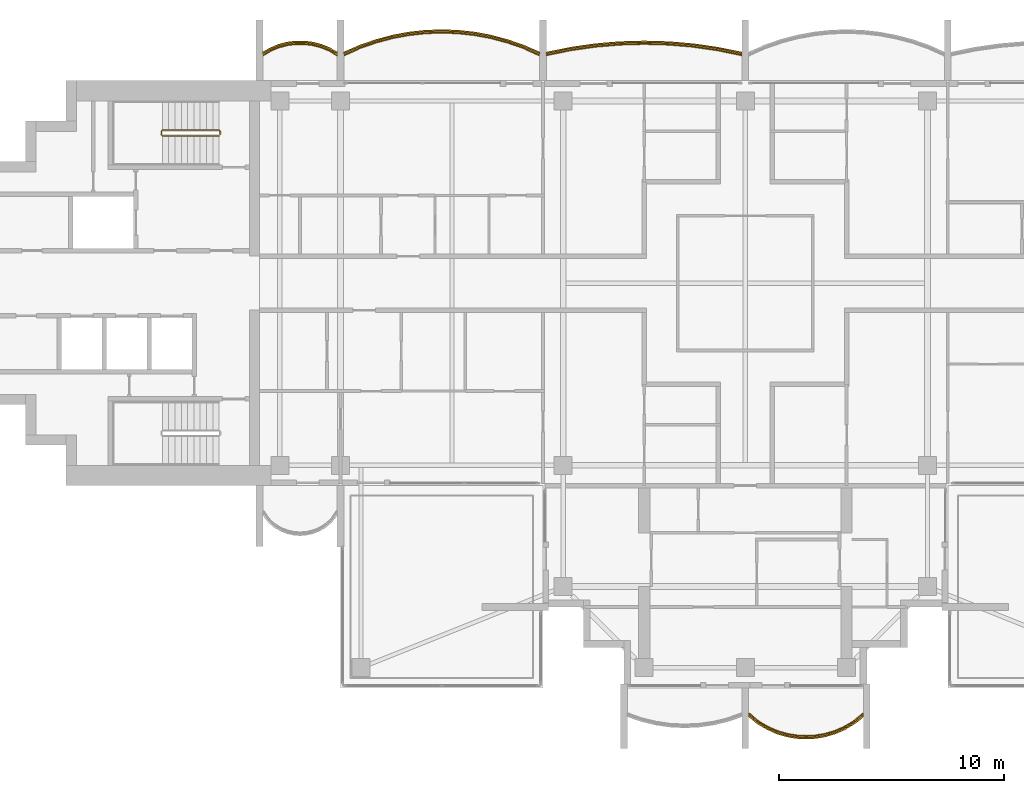
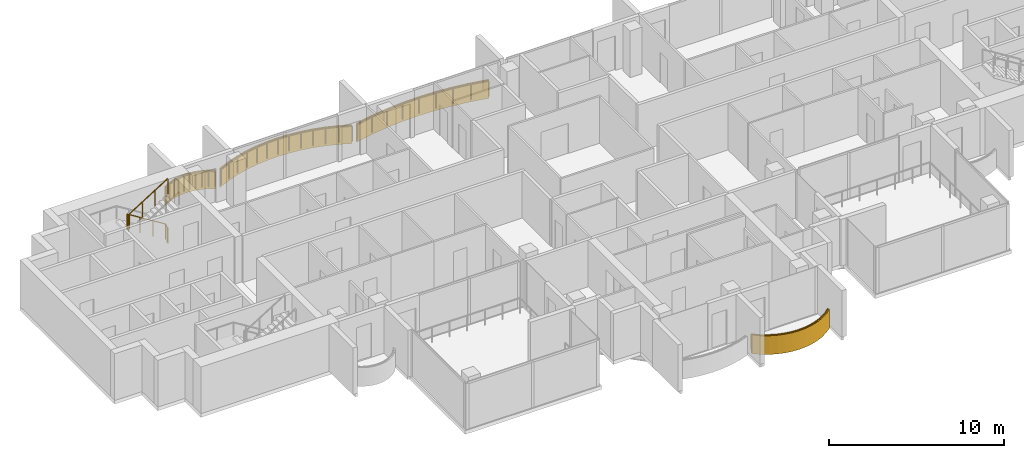
# One storey, part 14 of 16: 5 railings, 4 coverings.
"""IFC4 building model written with IfcOpenShell, lengths in metres."""

from ifc_helpers import new_model, si_unit, direction, frame, origin, origin_2d, place, context, subcontext, project, spatial, polyline, rectangle, outline, extrude, material, layer, layer_set, type_object, element, save


model = new_model("IFC4")

# Units and contexts
model_context = context("Model", 3, precision=1e-05, world=origin(), true_north=direction((0.0, 1.0)))
body_context = subcontext(model_context, "Body", "Model", "MODEL_VIEW")
ifc_project = project(units=[si_unit("LENGTHUNIT", "METRE"), si_unit("AREAUNIT", "SQUARE_METRE"), si_unit("VOLUMEUNIT", "CUBIC_METRE"), si_unit("PLANEANGLEUNIT", "RADIAN"), si_unit("MASSUNIT", "GRAM", prefix="KILO")], contexts=[model_context])

# Site, building, storey
site_placement = place(None, origin())
site = spatial("IfcSite", under=ifc_project, at=site_placement, CompositionType="ELEMENT")
building_placement = place(site_placement, origin())
building = spatial("IfcBuilding", under=site, at=building_placement, Name="Perihelion Cross Residences", CompositionType="ELEMENT")
storey_placement = place(building_placement, frame((0.0, 0.0, 257.0)))
storey = spatial("IfcBuildingStorey", under=building, at=storey_placement, Name="L65", CompositionType="ELEMENT", Elevation=257.0)

# Coverings
ifc_material_1 = material(Name="Bronze anodised aluminium", Category="aluminium")
ifc_layer = layer(ifc_material_1, 0.070068359375)
ifc_layer_set = layer_set([ifc_layer], Name="Balcony fascia 1300")
covering_type = type_object("IfcCoveringType", Name="Balcony fascia 1300", PredefinedType="CLADDING", material=ifc_layer_set)
covering_1_placement = place(storey_placement, frame((0.0, 0.0, -0.199951171875)))
element("IfcCovering", 1, at=covering_1_placement, inside=storey, type_object=covering_type, Name="Fascia BF1 L65 north side east bay 2", PredefinedType="CLADDING", context=body_context, shape_type="SweptSolid", body=[
    extrude(outline(polyline([(-1.2255859375, 10.4892578125), (-2.317138671875, 10.645751953125), (-3.408447265625, 10.739013671875), (-4.5, 10.77001953125), (-5.591552734375, 10.739013671875), (-6.682861328125, 10.645751953125), (-7.7744140625, 10.4892578125), (-8.85009765625, 10.271484375), (-8.85009765625, 10.199951171875), (-7.762451171875, 10.42041015625), (-6.675048828125, 10.576171875), (-5.58740234375, 10.669189453125), (-4.5, 10.699951171875), (-3.41259765625, 10.669189453125), (-2.324951171875, 10.576171875), (-1.237548828125, 10.42041015625), (-0.14990234375, 10.199951171875), (-0.14990234375, 10.271484375), (-1.2255859375, 10.4892578125)])), origin(), (0.0, 0.0, 1.0), 1.300048828125),
])
covering_2_placement = place(storey_placement, frame((0.0, 0.0, -0.199951171875)))
element("IfcCovering", 2, at=covering_2_placement, inside=storey, type_object=covering_type, Name="Fascia BF1 L65 west side north bay 1", PredefinedType="CLADDING", context=body_context, shape_type="SweptSolid", body=[
    extrude(outline(polyline([(-9.849365234375, 10.582275390625), (-10.57958984375, 10.83544921875), (-11.309814453125, 11.028076171875), (-12.039794921875, 11.1630859375), (-12.77001953125, 11.243408203125), (-13.5, 11.27001953125), (-14.22998046875, 11.243408203125), (-14.960205078125, 11.1630859375), (-15.690185546875, 11.028076171875), (-16.42041015625, 10.83544921875), (-17.150634765625, 10.582275390625), (-17.85009765625, 10.2763671875), (-17.85009765625, 10.199951171875), (-17.125, 10.51708984375), (-16.39990234375, 10.7685546875), (-15.675048828125, 10.959716796875), (-14.949951171875, 11.093994140625), (-14.22509765625, 11.173583984375), (-13.5, 11.199951171875), (-12.77490234375, 11.173583984375), (-12.050048828125, 11.093994140625), (-11.324951171875, 10.959716796875), (-10.60009765625, 10.7685546875), (-9.875, 10.51708984375), (-9.14990234375, 10.199951171875), (-9.14990234375, 10.2763671875), (-9.849365234375, 10.582275390625)])), origin(), (0.0, 0.0, 1.0), 1.300048828125),
])
covering_3_placement = place(storey_placement, frame((0.0, 0.0, -0.199951171875)))
element("IfcCovering", 3, at=covering_3_placement, inside=storey, type_object=covering_type, Name="Fascia BF1 L65 west side north bay 2", PredefinedType="CLADDING", context=body_context, shape_type="SweptSolid", body=[
    extrude(outline(polyline([(-18.486328125, 10.4716796875), (-18.861572265625, 10.62158203125), (-19.237060546875, 10.717529296875), (-19.6123046875, 10.76416015625), (-19.987548828125, 10.76416015625), (-20.363037109375, 10.717529296875), (-20.73828125, 10.62158203125), (-21.11376953125, 10.4716796875), (-21.449951171875, 10.280517578125), (-21.449951171875, 10.199951171875), (-21.083251953125, 10.40869140625), (-20.716552734375, 10.55517578125), (-20.35009765625, 10.648681640625), (-19.9833984375, 10.6943359375), (-19.61669921875, 10.6943359375), (-19.25, 10.648681640625), (-18.88330078125, 10.55517578125), (-18.5166015625, 10.40869140625), (-18.14990234375, 10.199951171875), (-18.14990234375, 10.280517578125), (-18.486328125, 10.4716796875)])), origin(), (0.0, 0.0, 1.0), 1.300048828125),
])
covering_4_placement = place(storey_placement, frame((0.0, 0.0, -0.199951171875)))
element("IfcCovering", 4, at=covering_4_placement, inside=storey, type_object=covering_type, Name="Fascia BF1 L65 south tip south bay 2", PredefinedType="CLADDING", context=body_context, shape_type="SweptSolid", body=[
    extrude(outline(polyline([(0.53515625, -19.59765625), (0.96826171875, -19.85498046875), (1.401123046875, -20.04248046875), (1.833984375, -20.170654296875), (2.26708984375, -20.245361328125), (2.699951171875, -20.27001953125), (3.133056640625, -20.245361328125), (3.56591796875, -20.170654296875), (3.998779296875, -20.04248046875), (4.431884765625, -19.85498046875), (4.86474609375, -19.59765625), (5.25, -19.28955078125), (5.25, -19.199951171875), (4.824951171875, -19.5400390625), (4.39990234375, -19.792724609375), (3.97509765625, -19.9765625), (3.550048828125, -20.1025390625), (3.125, -20.17578125), (2.699951171875, -20.199951171875), (2.27490234375, -20.17578125), (1.85009765625, -20.1025390625), (1.425048828125, -19.9765625), (1.0, -19.792724609375), (0.574951171875, -19.5400390625), (0.14990234375, -19.199951171875), (0.14990234375, -19.28955078125), (0.53515625, -19.59765625)])), origin(), (0.0, 0.0, 1.0), 1.300048828125),
])

# Railings
ifc_material_2 = material(Name="Bronze anodised aluminium", Category="aluminium")
railing_type_1 = type_object("IfcRailingType", Name="Balcony guard 1100", PredefinedType="GUARDRAIL", material=ifc_material_2)
railing_1_placement = place(storey_placement, frame((-0.175048828125, 10.139892578125, 0.0)))
element("IfcRailing", 5, at=railing_1_placement, inside=storey, type_object=railing_type_1, Name="Guard GU1 L65 north side east bay 2 balcony", PredefinedType="GUARDRAIL", context=body_context, shape_type="SweptSolid", body=[
    extrude(rectangle(XDim=0.048095703125, YDim=0.048095703125, at=origin_2d()), frame((0.0, 0.0, 1.076171875), z_axis=(-0.979144816647, 0.203163549961, 0.0), x_axis=(-0.203163549961, -0.979144816647, 0.0)), (0.0, 0.0, 1.0), 1.085205078125),
    extrude(rectangle(XDim=0.048095703125, YDim=0.048095703125, at=origin_2d()), frame((-1.0625, 0.220458984375, 1.076171875), z_axis=(-0.98989608354, 0.141794724135, 0.0), x_axis=(-0.141794724135, -0.98989608354, 0.0)), (0.0, 0.0, 1.0), 1.098388671875),
    extrude(rectangle(XDim=0.048095703125, YDim=0.048095703125, at=origin_2d()), frame((-2.14990234375, 0.376220703125, 1.076171875), z_axis=(-0.996362942492, 0.085210837506, 0.0), x_axis=(-0.085210837506, -0.996362942492, 0.0)), (0.0, 0.0, 1.0), 1.091552734375),
    extrude(rectangle(XDim=0.048095703125, YDim=0.048095703125, at=origin_2d()), frame((-3.237548828125, 0.46923828125, 1.076171875), z_axis=(-0.999600101203, 0.028277865458, 0.0), x_axis=(-0.028277865458, -0.999600101203, 0.0)), (0.0, 0.0, 1.0), 1.087890625),
    extrude(rectangle(XDim=0.048095703125, YDim=0.048095703125, at=origin_2d()), frame((-4.324951171875, 0.5, 1.076171875), z_axis=(-0.999600101203, -0.028277865458, 0.0), x_axis=(0.028277865458, -0.999600101203, 0.0)), (0.0, 0.0, 1.0), 1.087890625),
    extrude(rectangle(XDim=0.048095703125, YDim=0.048095703125, at=origin_2d()), frame((-5.412353515625, 0.46923828125, 1.076171875), z_axis=(-0.996362942492, -0.085210837506, 0.0), x_axis=(0.085210837506, -0.996362942492, 0.0)), (0.0, 0.0, 1.0), 1.091552734375),
    extrude(rectangle(XDim=0.048095703125, YDim=0.048095703125, at=origin_2d()), frame((-6.5, 0.376220703125, 1.076171875), z_axis=(-0.98989608354, -0.141794724135, 0.0), x_axis=(0.141794724135, -0.98989608354, 0.0)), (0.0, 0.0, 1.0), 1.098388671875),
    extrude(rectangle(XDim=0.048095703125, YDim=0.048095703125, at=origin_2d()), frame((-7.58740234375, 0.220458984375, 1.076171875), z_axis=(-0.979144816647, -0.203163549961, 0.0), x_axis=(0.203163549961, -0.979144816647, 0.0)), (0.0, 0.0, 1.0), 1.085205078125),
    extrude(rectangle(XDim=0.0419921875, YDim=0.0419921875, at=origin_2d()), origin(), (0.0, 0.0, 1.0), 1.052001953125),
    extrude(rectangle(XDim=0.0419921875, YDim=0.0419921875, at=origin_2d()), frame((-1.0625, 0.220458984375, 0.0)), (0.0, 0.0, 1.0), 1.052001953125),
    extrude(rectangle(XDim=0.0419921875, YDim=0.0419921875, at=origin_2d()), frame((-2.14990234375, 0.376220703125, 0.0)), (0.0, 0.0, 1.0), 1.052001953125),
    extrude(rectangle(XDim=0.0419921875, YDim=0.0419921875, at=origin_2d()), frame((-3.237548828125, 0.46923828125, 0.0)), (0.0, 0.0, 1.0), 1.052001953125),
    extrude(rectangle(XDim=0.0419921875, YDim=0.0419921875, at=origin_2d()), frame((-4.324951171875, 0.5, 0.0)), (0.0, 0.0, 1.0), 1.052001953125),
    extrude(rectangle(XDim=0.0419921875, YDim=0.0419921875, at=origin_2d()), frame((-5.412353515625, 0.46923828125, 0.0)), (0.0, 0.0, 1.0), 1.052001953125),
    extrude(rectangle(XDim=0.0419921875, YDim=0.0419921875, at=origin_2d()), frame((-6.5, 0.376220703125, 0.0)), (0.0, 0.0, 1.0), 1.052001953125),
    extrude(rectangle(XDim=0.0419921875, YDim=0.0419921875, at=origin_2d()), frame((-7.58740234375, 0.220458984375, 0.0)), (0.0, 0.0, 1.0), 1.052001953125),
    extrude(rectangle(XDim=0.0419921875, YDim=0.0419921875, at=origin_2d()), frame((-8.64990234375, 0.0, 0.0)), (0.0, 0.0, 1.0), 1.052001953125),
])
railing_2_placement = place(storey_placement, frame((-9.175048828125, 10.139892578125, 0.0)))
element("IfcRailing", 6, at=railing_2_placement, inside=storey, type_object=railing_type_1, Name="Guard GU1 L65 west side north bay 1 balcony", PredefinedType="GUARDRAIL", context=body_context, shape_type="SweptSolid", body=[
    extrude(rectangle(XDim=0.048095703125, YDim=0.048095703125, at=origin_2d()), frame((0.0, 0.0, 1.076171875), z_axis=(-0.910866309087, 0.412701547089, 0.0), x_axis=(-0.412701547089, -0.910866309087, 0.0)), (0.0, 0.0, 1.0), 0.7685546875),
    extrude(rectangle(XDim=0.048095703125, YDim=0.048095703125, at=origin_2d()), frame((-0.699951171875, 0.317138671875, 1.076171875), z_axis=(-0.944796812452, 0.327656807012, 0.0), x_axis=(-0.327656807012, -0.944796812452, 0.0)), (0.0, 0.0, 1.0), 0.767578125),
    extrude(rectangle(XDim=0.048095703125, YDim=0.048095703125, at=origin_2d()), frame((-1.425048828125, 0.568603515625, 1.076171875), z_axis=(-0.966939404945, 0.255006249266, 0.0), x_axis=(-0.255006249266, -0.966939404945, 0.0)), (0.0, 0.0, 1.0), 0.749755859375),
    extrude(rectangle(XDim=0.048095703125, YDim=0.048095703125, at=origin_2d()), frame((-2.14990234375, 0.759765625, 1.076171875), z_axis=(-0.983282004984, 0.182089260182, 0.0), x_axis=(-0.182089260182, -0.983282004984, 0.0)), (0.0, 0.0, 1.0), 0.7373046875),
    extrude(rectangle(XDim=0.048095703125, YDim=0.048095703125, at=origin_2d()), frame((-2.875, 0.89404296875, 1.076171875), z_axis=(-0.994025805622, 0.109145305703, 0.0), x_axis=(-0.109145305703, -0.994025805622, 0.0)), (0.0, 0.0, 1.0), 0.729248046875),
    extrude(rectangle(XDim=0.048095703125, YDim=0.048095703125, at=origin_2d()), frame((-3.599853515625, 0.9736328125, 1.076171875), z_axis=(-0.999339497946, 0.036339618107, 0.0), x_axis=(-0.036339618107, -0.999339497946, 0.0)), (0.0, 0.0, 1.0), 0.7255859375),
    extrude(rectangle(XDim=0.048095703125, YDim=0.048095703125, at=origin_2d()), frame((-4.324951171875, 1.0, 1.076171875), z_axis=(-0.999339497946, -0.036339618107, 0.0), x_axis=(0.036339618107, -0.999339497946, 0.0)), (0.0, 0.0, 1.0), 0.7255859375),
    extrude(rectangle(XDim=0.048095703125, YDim=0.048095703125, at=origin_2d()), frame((-5.050048828125, 0.9736328125, 1.076171875), z_axis=(-0.994025805622, -0.109145305703, 0.0), x_axis=(0.109145305703, -0.994025805622, 0.0)), (0.0, 0.0, 1.0), 0.729248046875),
    extrude(rectangle(XDim=0.048095703125, YDim=0.048095703125, at=origin_2d()), frame((-5.77490234375, 0.89404296875, 1.076171875), z_axis=(-0.983282004984, -0.182089260182, 0.0), x_axis=(0.182089260182, -0.983282004984, 0.0)), (0.0, 0.0, 1.0), 0.7373046875),
    extrude(rectangle(XDim=0.048095703125, YDim=0.048095703125, at=origin_2d()), frame((-6.5, 0.759765625, 1.076171875), z_axis=(-0.966939404945, -0.255006249266, 0.0), x_axis=(0.255006249266, -0.966939404945, 0.0)), (0.0, 0.0, 1.0), 0.749755859375),
    extrude(rectangle(XDim=0.048095703125, YDim=0.048095703125, at=origin_2d()), frame((-7.224853515625, 0.568603515625, 1.076171875), z_axis=(-0.944796812452, -0.327656807012, 0.0), x_axis=(0.327656807012, -0.944796812452, 0.0)), (0.0, 0.0, 1.0), 0.767578125),
    extrude(rectangle(XDim=0.048095703125, YDim=0.048095703125, at=origin_2d()), frame((-7.949951171875, 0.317138671875, 1.076171875), z_axis=(-0.910866309087, -0.412701547089, 0.0), x_axis=(0.412701547089, -0.910866309087, 0.0)), (0.0, 0.0, 1.0), 0.7685546875),
    extrude(rectangle(XDim=0.0419921875, YDim=0.0419921875, at=origin_2d()), origin(), (0.0, 0.0, 1.0), 1.052001953125),
    extrude(rectangle(XDim=0.0419921875, YDim=0.0419921875, at=origin_2d()), frame((-0.699951171875, 0.317138671875, 0.0)), (0.0, 0.0, 1.0), 1.052001953125),
    extrude(rectangle(XDim=0.0419921875, YDim=0.0419921875, at=origin_2d()), frame((-1.425048828125, 0.568603515625, 0.0)), (0.0, 0.0, 1.0), 1.052001953125),
    extrude(rectangle(XDim=0.0419921875, YDim=0.0419921875, at=origin_2d()), frame((-2.14990234375, 0.759765625, 0.0)), (0.0, 0.0, 1.0), 1.052001953125),
    extrude(rectangle(XDim=0.0419921875, YDim=0.0419921875, at=origin_2d()), frame((-2.875, 0.89404296875, 0.0)), (0.0, 0.0, 1.0), 1.052001953125),
    extrude(rectangle(XDim=0.0419921875, YDim=0.0419921875, at=origin_2d()), frame((-3.599853515625, 0.9736328125, 0.0)), (0.0, 0.0, 1.0), 1.052001953125),
    extrude(rectangle(XDim=0.0419921875, YDim=0.0419921875, at=origin_2d()), frame((-4.324951171875, 1.0, 0.0)), (0.0, 0.0, 1.0), 1.052001953125),
    extrude(rectangle(XDim=0.0419921875, YDim=0.0419921875, at=origin_2d()), frame((-5.050048828125, 0.9736328125, 0.0)), (0.0, 0.0, 1.0), 1.052001953125),
    extrude(rectangle(XDim=0.0419921875, YDim=0.0419921875, at=origin_2d()), frame((-5.77490234375, 0.89404296875, 0.0)), (0.0, 0.0, 1.0), 1.052001953125),
    extrude(rectangle(XDim=0.0419921875, YDim=0.0419921875, at=origin_2d()), frame((-6.5, 0.759765625, 0.0)), (0.0, 0.0, 1.0), 1.052001953125),
    extrude(rectangle(XDim=0.0419921875, YDim=0.0419921875, at=origin_2d()), frame((-7.224853515625, 0.568603515625, 0.0)), (0.0, 0.0, 1.0), 1.052001953125),
    extrude(rectangle(XDim=0.0419921875, YDim=0.0419921875, at=origin_2d()), frame((-7.949951171875, 0.317138671875, 0.0)), (0.0, 0.0, 1.0), 1.052001953125),
    extrude(rectangle(XDim=0.0419921875, YDim=0.0419921875, at=origin_2d()), frame((-8.64990234375, 0.0, 0.0)), (0.0, 0.0, 1.0), 1.052001953125),
])
railing_3_placement = place(storey_placement, frame((-18.175048828125, 10.139892578125, 0.0)))
element("IfcRailing", 7, at=railing_3_placement, inside=storey, type_object=railing_type_1, Name="Guard GU1 L65 west side north bay 2 balcony", PredefinedType="GUARDRAIL", context=body_context, shape_type="SweptSolid", body=[
    extrude(rectangle(XDim=0.048095703125, YDim=0.048095703125, at=origin_2d()), frame((0.0, 0.0, 1.076171875), z_axis=(-0.853266756821, 0.52147467983, 0.0), x_axis=(-0.52147467983, -0.853266756821, 0.0)), (0.0, 0.0, 1.0), 0.400390625),
    extrude(rectangle(XDim=0.048095703125, YDim=0.048095703125, at=origin_2d()), frame((-0.341552734375, 0.208740234375, 1.076171875), z_axis=(-0.928647151248, 0.37096424151, 0.0), x_axis=(-0.37096424151, -0.928647151248, 0.0)), (0.0, 0.0, 1.0), 0.394775390625),
    extrude(rectangle(XDim=0.048095703125, YDim=0.048095703125, at=origin_2d()), frame((-0.708251953125, 0.355224609375, 1.076171875), z_axis=(-0.968993337782, 0.247086849781, 0.0), x_axis=(-0.247086849781, -0.968993337782, 0.0)), (0.0, 0.0, 1.0), 0.37841796875),
    extrude(rectangle(XDim=0.048095703125, YDim=0.048095703125, at=origin_2d()), frame((-1.074951171875, 0.44873046875, 1.076171875), z_axis=(-0.992338742457, 0.123546834114, 0.0), x_axis=(-0.123546834114, -0.992338742457, 0.0)), (0.0, 0.0, 1.0), 0.36962890625),
    extrude(rectangle(XDim=0.048095703125, YDim=0.048095703125, at=origin_2d()), frame((-1.441650390625, 0.494384765625, 1.076171875), z_axis=(-1.0, 0.0, 0.0), x_axis=(0.0, -1.0, 0.0)), (0.0, 0.0, 1.0), 0.36669921875),
    extrude(rectangle(XDim=0.048095703125, YDim=0.048095703125, at=origin_2d()), frame((-1.808349609375, 0.494384765625, 1.076171875), z_axis=(-0.992338742457, -0.123546834114, 0.0), x_axis=(0.123546834114, -0.992338742457, 0.0)), (0.0, 0.0, 1.0), 0.36962890625),
    extrude(rectangle(XDim=0.048095703125, YDim=0.048095703125, at=origin_2d()), frame((-2.175048828125, 0.44873046875, 1.076171875), z_axis=(-0.968953914071, -0.247241405123, 0.0), x_axis=(0.247241405123, -0.968953914071, 0.0)), (0.0, 0.0, 1.0), 0.378173828125),
    extrude(rectangle(XDim=0.048095703125, YDim=0.048095703125, at=origin_2d()), frame((-2.54150390625, 0.355224609375, 1.076171875), z_axis=(-0.928647151248, -0.37096424151, 0.0), x_axis=(0.37096424151, -0.928647151248, 0.0)), (0.0, 0.0, 1.0), 0.394775390625),
    extrude(rectangle(XDim=0.048095703125, YDim=0.048095703125, at=origin_2d()), frame((-2.908203125, 0.208740234375, 1.076171875), z_axis=(-0.853432484338, -0.521203410078, 0.0), x_axis=(0.521203410078, -0.853432484338, 0.0)), (0.0, 0.0, 1.0), 0.400390625),
    extrude(rectangle(XDim=0.0419921875, YDim=0.0419921875, at=origin_2d()), origin(), (0.0, 0.0, 1.0), 1.052001953125),
    extrude(rectangle(XDim=0.0419921875, YDim=0.0419921875, at=origin_2d()), frame((-0.341552734375, 0.208740234375, 0.0)), (0.0, 0.0, 1.0), 1.052001953125),
    extrude(rectangle(XDim=0.0419921875, YDim=0.0419921875, at=origin_2d()), frame((-0.708251953125, 0.355224609375, 0.0)), (0.0, 0.0, 1.0), 1.052001953125),
    extrude(rectangle(XDim=0.0419921875, YDim=0.0419921875, at=origin_2d()), frame((-1.074951171875, 0.44873046875, 0.0)), (0.0, 0.0, 1.0), 1.052001953125),
    extrude(rectangle(XDim=0.0419921875, YDim=0.0419921875, at=origin_2d()), frame((-1.441650390625, 0.494384765625, 0.0)), (0.0, 0.0, 1.0), 1.052001953125),
    extrude(rectangle(XDim=0.0419921875, YDim=0.0419921875, at=origin_2d()), frame((-1.808349609375, 0.494384765625, 0.0)), (0.0, 0.0, 1.0), 1.052001953125),
    extrude(rectangle(XDim=0.0419921875, YDim=0.0419921875, at=origin_2d()), frame((-2.175048828125, 0.44873046875, 0.0)), (0.0, 0.0, 1.0), 1.052001953125),
    extrude(rectangle(XDim=0.0419921875, YDim=0.0419921875, at=origin_2d()), frame((-2.54150390625, 0.355224609375, 0.0)), (0.0, 0.0, 1.0), 1.052001953125),
    extrude(rectangle(XDim=0.0419921875, YDim=0.0419921875, at=origin_2d()), frame((-2.908203125, 0.208740234375, 0.0)), (0.0, 0.0, 1.0), 1.052001953125),
    extrude(rectangle(XDim=0.0419921875, YDim=0.0419921875, at=origin_2d()), frame((-3.25, 0.0, 0.0)), (0.0, 0.0, 1.0), 1.052001953125),
])
railing_4_placement = place(storey_placement, frame((0.175048828125, -19.139892578125, 0.0)))
element("IfcRailing", 8, at=railing_4_placement, inside=storey, type_object=railing_type_1, Name="Guard GU1 L65 south tip south bay 2 balcony", PredefinedType="GUARDRAIL", context=body_context, shape_type="SweptSolid", body=[
    extrude(rectangle(XDim=0.048095703125, YDim=0.048095703125, at=origin_2d()), frame((0.0, 0.0, 1.076171875), z_axis=(0.761778647315, -0.647837396648, 0.0), x_axis=(0.647837396648, 0.761778647315, 0.0)), (0.0, 0.0, 1.0), 0.52490234375),
    extrude(rectangle(XDim=0.048095703125, YDim=0.048095703125, at=origin_2d()), frame((0.39990234375, -0.340087890625, 1.076171875), z_axis=(0.859576918062, -0.511006381501, 0.0), x_axis=(0.511006381501, 0.859576918062, 0.0)), (0.0, 0.0, 1.0), 0.494384765625),
    extrude(rectangle(XDim=0.048095703125, YDim=0.048095703125, at=origin_2d()), frame((0.824951171875, -0.5927734375, 1.076171875), z_axis=(0.917638931453, -0.397415137459, 0.0), x_axis=(0.397415137459, 0.917638931453, 0.0)), (0.0, 0.0, 1.0), 0.463134765625),
    extrude(rectangle(XDim=0.048095703125, YDim=0.048095703125, at=origin_2d()), frame((1.25, -0.77685546875, 1.076171875), z_axis=(0.958925815697, -0.283656975924, 0.0), x_axis=(0.283656975924, 0.958925815697, 0.0)), (0.0, 0.0, 1.0), 0.443359375),
    extrude(rectangle(XDim=0.048095703125, YDim=0.048095703125, at=origin_2d()), frame((1.675048828125, -0.902587890625, 1.076171875), z_axis=(0.985365142702, -0.170456843651, 0.0), x_axis=(0.170456843651, 0.985365142702, 0.0)), (0.0, 0.0, 1.0), 0.43115234375),
    extrude(rectangle(XDim=0.048095703125, YDim=0.048095703125, at=origin_2d()), frame((2.099853515625, -0.97607421875, 1.076171875), z_axis=(0.9984195016, -0.056200523353, 0.0), x_axis=(0.056200523353, 0.9984195016, 0.0)), (0.0, 0.0, 1.0), 0.42578125),
    extrude(rectangle(XDim=0.048095703125, YDim=0.048095703125, at=origin_2d()), frame((2.52490234375, -1.0, 1.076171875), z_axis=(0.9984195016, 0.056200523353, 0.0), x_axis=(-0.056200523353, 0.9984195016, 0.0)), (0.0, 0.0, 1.0), 0.42578125),
    extrude(rectangle(XDim=0.048095703125, YDim=0.048095703125, at=origin_2d()), frame((2.949951171875, -0.97607421875, 1.076171875), z_axis=(0.985381583142, 0.17036177859, 0.0), x_axis=(-0.17036177859, 0.985381583142, 0.0)), (0.0, 0.0, 1.0), 0.431396484375),
    extrude(rectangle(XDim=0.048095703125, YDim=0.048095703125, at=origin_2d()), frame((3.375, -0.902587890625, 1.076171875), z_axis=(0.958925815697, 0.283656975924, 0.0), x_axis=(-0.283656975924, 0.958925815697, 0.0)), (0.0, 0.0, 1.0), 0.443359375),
    extrude(rectangle(XDim=0.048095703125, YDim=0.048095703125, at=origin_2d()), frame((3.800048828125, -0.77685546875, 1.076171875), z_axis=(0.91755562531, 0.397607437634, 0.0), x_axis=(-0.397607437634, 0.91755562531, 0.0)), (0.0, 0.0, 1.0), 0.462890625),
    extrude(rectangle(XDim=0.048095703125, YDim=0.048095703125, at=origin_2d()), frame((4.224853515625, -0.5927734375, 1.076171875), z_axis=(0.859576918062, 0.511006381501, 0.0), x_axis=(-0.511006381501, 0.859576918062, 0.0)), (0.0, 0.0, 1.0), 0.494384765625),
    extrude(rectangle(XDim=0.048095703125, YDim=0.048095703125, at=origin_2d()), frame((4.64990234375, -0.340087890625, 1.076171875), z_axis=(0.761973728849, 0.647607934281, 0.0), x_axis=(-0.647607934281, 0.761973728849, 0.0)), (0.0, 0.0, 1.0), 0.525146484375),
    extrude(rectangle(XDim=0.0419921875, YDim=0.0419921875, at=origin_2d()), origin(), (0.0, 0.0, 1.0), 1.052001953125),
    extrude(rectangle(XDim=0.0419921875, YDim=0.0419921875, at=origin_2d()), frame((0.39990234375, -0.340087890625, 0.0)), (0.0, 0.0, 1.0), 1.052001953125),
    extrude(rectangle(XDim=0.0419921875, YDim=0.0419921875, at=origin_2d()), frame((0.824951171875, -0.5927734375, 0.0)), (0.0, 0.0, 1.0), 1.052001953125),
    extrude(rectangle(XDim=0.0419921875, YDim=0.0419921875, at=origin_2d()), frame((1.25, -0.77685546875, 0.0)), (0.0, 0.0, 1.0), 1.052001953125),
    extrude(rectangle(XDim=0.0419921875, YDim=0.0419921875, at=origin_2d()), frame((1.675048828125, -0.902587890625, 0.0)), (0.0, 0.0, 1.0), 1.052001953125),
    extrude(rectangle(XDim=0.0419921875, YDim=0.0419921875, at=origin_2d()), frame((2.099853515625, -0.97607421875, 0.0)), (0.0, 0.0, 1.0), 1.052001953125),
    extrude(rectangle(XDim=0.0419921875, YDim=0.0419921875, at=origin_2d()), frame((2.52490234375, -1.0, 0.0)), (0.0, 0.0, 1.0), 1.052001953125),
    extrude(rectangle(XDim=0.0419921875, YDim=0.0419921875, at=origin_2d()), frame((2.949951171875, -0.97607421875, 0.0)), (0.0, 0.0, 1.0), 1.052001953125),
    extrude(rectangle(XDim=0.0419921875, YDim=0.0419921875, at=origin_2d()), frame((3.375, -0.902587890625, 0.0)), (0.0, 0.0, 1.0), 1.052001953125),
    extrude(rectangle(XDim=0.0419921875, YDim=0.0419921875, at=origin_2d()), frame((3.800048828125, -0.77685546875, 0.0)), (0.0, 0.0, 1.0), 1.052001953125),
    extrude(rectangle(XDim=0.0419921875, YDim=0.0419921875, at=origin_2d()), frame((4.224853515625, -0.5927734375, 0.0)), (0.0, 0.0, 1.0), 1.052001953125),
    extrude(rectangle(XDim=0.0419921875, YDim=0.0419921875, at=origin_2d()), frame((4.64990234375, -0.340087890625, 0.0)), (0.0, 0.0, 1.0), 1.052001953125),
    extrude(rectangle(XDim=0.0419921875, YDim=0.0419921875, at=origin_2d()), frame((5.050048828125, 0.0, 0.0)), (0.0, 0.0, 1.0), 1.052001953125),
])
ifc_material_3 = material(Name="Stainless steel", Category="steel")
railing_type_2 = type_object("IfcRailingType", Name="Stair guard 1100", PredefinedType="GUARDRAIL", material=ifc_material_3)
railing_5_placement = place(storey_placement, frame((-23.35009765625, 6.60009765625, 0.0)))
element("IfcRailing", 9, at=railing_5_placement, inside=storey, type_object=railing_type_2, Name="L65 ST-W1 stair guard 1", PredefinedType="GUARDRAIL", context=body_context, shape_type="SweptSolid", body=[
    extrude(rectangle(XDim=0.048095703125, YDim=0.048095703125, at=origin_2d()), frame((0.0, 0.0, 1.076171875), z_axis=(0.0, 1.0, 0.0), x_axis=(-1.0, 0.0, 0.0)), (0.0, 0.0, 1.0), 0.14990234375),
    extrude(rectangle(XDim=0.048095703125, YDim=0.048095703125, at=origin_2d()), frame((0.0, 0.14990234375, 1.076171875), z_axis=(-0.263862480399, 0.265155923931, 0.927399011991), x_axis=(-0.708833529934, -0.705375805398, 0.0)), (0.0, 0.0, 1.0), 0.188720703125),
    extrude(rectangle(XDim=0.048095703125, YDim=0.048095703125, at=origin_2d()), frame((-0.0498046875, 0.199951171875, 1.2509765625), z_axis=(-0.848007534815, 0.0, 0.529984170421), x_axis=(0.0, -1.0, 0.0)), (0.0, 0.0, 1.0), 2.9716796875),
    extrude(rectangle(XDim=0.048095703125, YDim=0.048095703125, at=origin_2d()), frame((-2.56982421875, 0.199951171875, 2.826171875), z_axis=(-0.707106781187, -0.707106781187, 0.0), x_axis=(0.707106781187, -0.707106781187, 0.0)), (0.0, 0.0, 1.0), 0.07080078125),
    extrude(rectangle(XDim=0.048095703125, YDim=0.048095703125, at=origin_2d()), frame((-2.619873046875, 0.14990234375, 2.826171875), z_axis=(0.0, -1.0, 0.0), x_axis=(1.0, 0.0, 0.0)), (0.0, 0.0, 1.0), 0.14990234375),
    extrude(rectangle(XDim=0.048095703125, YDim=0.048095703125, at=origin_2d()), frame((-2.619873046875, 0.0, 2.826171875), z_axis=(0.265065253269, -0.265065253269, 0.927081885822), x_axis=(0.707106781187, 0.707106781187, 0.0)), (0.0, 0.0, 1.0), 0.188720703125),
    extrude(rectangle(XDim=0.048095703125, YDim=0.048095703125, at=origin_2d()), frame((-2.56982421875, -0.050048828125, 3.0009765625), z_axis=(0.848007534815, 0.0, 0.529984170421), x_axis=(0.0, 1.0, 0.0)), (0.0, 0.0, 1.0), 2.9716796875),
    extrude(rectangle(XDim=0.0419921875, YDim=0.0419921875, at=origin_2d()), origin(), (0.0, 0.0, 1.0), 1.052001953125),
    extrude(rectangle(XDim=0.0419921875, YDim=0.0419921875, at=origin_2d()), frame((0.0, 0.14990234375, 0.0)), (0.0, 0.0, 1.0), 1.052001953125),
    extrude(rectangle(XDim=0.0419921875, YDim=0.0419921875, at=origin_2d()), frame((-0.0498046875, 0.199951171875, 0.175048828125)), (0.0, 0.0, 1.0), 1.052001953125),
    extrude(rectangle(XDim=0.0419921875, YDim=0.0419921875, at=origin_2d()), frame((-0.889892578125, 0.199951171875, 0.699951171875)), (0.0, 0.0, 1.0), 1.052001953125),
    extrude(rectangle(XDim=0.0419921875, YDim=0.0419921875, at=origin_2d()), frame((-1.729736328125, 0.199951171875, 1.22509765625)), (0.0, 0.0, 1.0), 1.052001953125),
    extrude(rectangle(XDim=0.0419921875, YDim=0.0419921875, at=origin_2d()), frame((-2.56982421875, 0.199951171875, 1.75)), (0.0, 0.0, 1.0), 1.052001953125),
    extrude(rectangle(XDim=0.0419921875, YDim=0.0419921875, at=origin_2d()), frame((-2.619873046875, 0.14990234375, 1.75)), (0.0, 0.0, 1.0), 1.052001953125),
    extrude(rectangle(XDim=0.0419921875, YDim=0.0419921875, at=origin_2d()), frame((-2.619873046875, 0.0, 1.75)), (0.0, 0.0, 1.0), 1.052001953125),
    extrude(rectangle(XDim=0.0419921875, YDim=0.0419921875, at=origin_2d()), frame((-2.56982421875, -0.050048828125, 1.925048828125)), (0.0, 0.0, 1.0), 1.052001953125),
    extrude(rectangle(XDim=0.0419921875, YDim=0.0419921875, at=origin_2d()), frame((-1.729736328125, -0.050048828125, 2.449951171875)), (0.0, 0.0, 1.0), 1.052001953125),
    extrude(rectangle(XDim=0.0419921875, YDim=0.0419921875, at=origin_2d()), frame((-0.889892578125, -0.050048828125, 2.97509765625)), (0.0, 0.0, 1.0), 1.052001953125),
    extrude(rectangle(XDim=0.0419921875, YDim=0.0419921875, at=origin_2d()), frame((-0.0498046875, -0.050048828125, 3.5)), (0.0, 0.0, 1.0), 1.052001953125),
])

save(model, "model.ifc")
